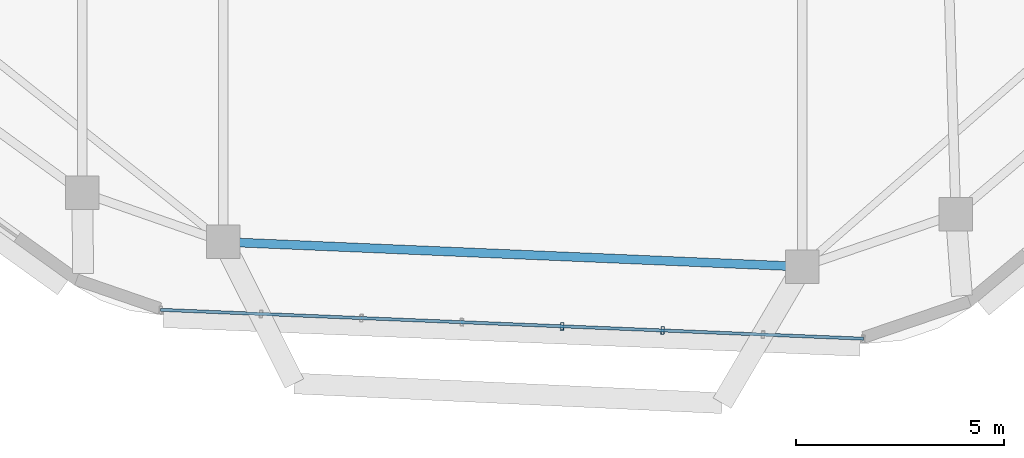
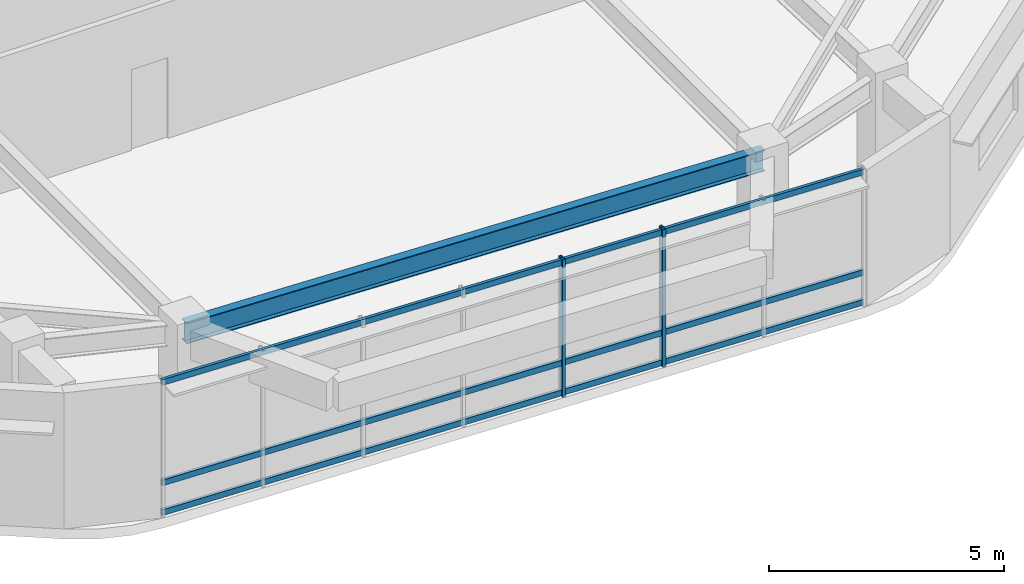
# One storey, part 3 of 13: 5 members, 1 beam, 1 element without a shape of its own.
"""IFC4 building model written with IfcOpenShell, lengths in metres."""

from ifc_helpers import new_model, si_unit, direction, frame, origin, origin_2d, place, context, subcontext, project, spatial, hollow_rectangle, i_section, extrude, material, material_profile, profile_set, type_object, element, aggregate, save


model = new_model("IFC4")

# Units and contexts
model_context = context("Model", 3, precision=1e-05, world=origin(), true_north=direction((0.0, 1.0)))
body_context = subcontext(model_context, "Body", "Model", "MODEL_VIEW")
ifc_project = project(units=[si_unit("LENGTHUNIT", "METRE"), si_unit("AREAUNIT", "SQUARE_METRE"), si_unit("VOLUMEUNIT", "CUBIC_METRE"), si_unit("PLANEANGLEUNIT", "RADIAN"), si_unit("MASSUNIT", "GRAM", prefix="KILO")], contexts=[model_context])

# Site, building, storey
site_placement = place(None, origin())
site = spatial("IfcSite", under=ifc_project, at=site_placement, CompositionType="ELEMENT")
building_placement = place(site_placement, origin())
building = spatial("IfcBuilding", under=site, at=building_placement, Name="Zulverin Broadcast Headquarters", CompositionType="ELEMENT")
storey_placement = place(building_placement, frame((0.0, 0.0, 278.199951171875)))
storey = spatial("IfcBuildingStorey", under=building, at=storey_placement, Name="L71", CompositionType="ELEMENT", Elevation=278.199951171875)

# Beam
ifc_material_1 = material(Name="Structural steel S355JR", Category="steel")
ifc_material_profile_1 = material_profile(ifc_material_1, i_section(OverallWidth=0.2119140625, OverallDepth=0.54443359375, WebThickness=0.0126953125, FlangeThickness=0.021240234375, at=origin_2d()), Name="Structural steel S355JR", Category="steel")
ifc_profile_set_1 = profile_set([ifc_material_profile_1], Name="Structural steel S355JR")
beam_type = type_object("IfcBeamType", Name="BM-UB-533", PredefinedType="SPANDREL", material=ifc_profile_set_1)
beam_placement = place(storey_placement, frame((30.93359375, 4.703125, 3.267822265625), z_axis=(0.999085051108, -0.042767518662, 0.0), x_axis=(0.042767518662, 0.999085051108, 0.0)))
element("IfcBeam", 1, at=beam_placement, inside=storey, type_object=beam_type, Name="L71 Perimeter Spandrel Beam SP-01", PredefinedType="SPANDREL", context=body_context, shape_type="SweptSolid", body=[
    extrude(i_section(OverallWidth=0.2119140625, OverallDepth=0.54443359375, WebThickness=0.0126953125, FlangeThickness=0.021240234375, at=origin_2d()), origin(), (0.0, 0.0, 1.0), 13.906005859375),
])

# Curtain wall, members
ifc_material_2 = material(Name="High-zone solar-control unitised curtain wall", Category="aluminium")
curtain_wall_type = type_object("IfcCurtainWallType", Name="CW-TWR-UPP", PredefinedType="USERDEFINED", material=ifc_material_2)
curtain_wall_placement = place(storey_placement, origin())
curtain_wall = element("IfcCurtainWall", 2, at=curtain_wall_placement, inside=storey, type_object=curtain_wall_type, Name="L71 Unitised Curtain Wall CW-L71-E1", ObjectType="UNITISED CURTAIN WALL", PredefinedType="USERDEFINED")
ifc_material_3 = material(Name="Anodized pale-metal aluminium alloy 6063-T6", Category="aluminium")
ifc_material_profile_2 = material_profile(ifc_material_3, hollow_rectangle(XDim=0.074951171875, YDim=0.179931640625, WallThickness=0.0048828125, at=origin_2d()), Name="Anodized pale-metal aluminium alloy 6063-T6", Category="aluminium")
ifc_profile_set_2 = profile_set([ifc_material_profile_2], Name="Anodized pale-metal aluminium alloy 6063-T6")
member_type_1 = type_object("IfcMemberType", Name="CW-MUL-180", PredefinedType="MULLION", material=ifc_profile_set_2)
member_1_placement = place(storey_placement, frame((39.06298828125, 2.67724609375, -0.030029296875), z_axis=(0.0, 0.0, 1.0), x_axis=(0.99915627139, -0.041070005388, 0.0)))
member_1 = element("IfcMember", 3, at=member_1_placement, type_object=member_type_1, Name="CW-L71-E1 Mullion 04", PredefinedType="MULLION", context=body_context, shape_type="SweptSolid", body=[
    extrude(hollow_rectangle(XDim=0.074951171875, YDim=0.179931640625, WallThickness=0.0048828125, at=origin_2d()), origin(), (0.0, 0.0, 1.0), 3.60009765625),
])
member_2_placement = place(storey_placement, frame((41.4716796875, 2.578125, -0.030029296875), z_axis=(0.0, 0.0, 1.0), x_axis=(0.99915627139, -0.041070005388, 0.0)))
member_2 = element("IfcMember", 4, at=member_2_placement, type_object=member_type_1, Name="CW-L71-E1 Mullion 05", PredefinedType="MULLION", context=body_context, shape_type="SweptSolid", body=[
    extrude(hollow_rectangle(XDim=0.074951171875, YDim=0.179931640625, WallThickness=0.0048828125, at=origin_2d()), origin(), (0.0, 0.0, 1.0), 3.60009765625),
])
ifc_material_profile_3 = material_profile(ifc_material_3, hollow_rectangle(XDim=0.074951171875, YDim=0.14990234375, WallThickness=0.0048828125, at=origin_2d()), Name="Anodized pale-metal aluminium alloy 6063-T6", Category="aluminium")
ifc_profile_set_3 = profile_set([ifc_material_profile_3], Name="Anodized pale-metal aluminium alloy 6063-T6")
member_type_2 = type_object("IfcMemberType", Name="CW-TRN-150", PredefinedType="USERDEFINED", material=ifc_profile_set_3)
member_3_placement = place(storey_placement, frame((29.427490234375, 3.0732421875, 0.074951171875), z_axis=(0.999156233565, -0.041070925594, 0.0), x_axis=(0.041070925594, 0.999156233565, 0.0)))
member_3 = element("IfcMember", 5, at=member_3_placement, type_object=member_type_2, Name="CW-L71-E1 Transom 0", ObjectType="TRANSOM", PredefinedType="USERDEFINED", context=body_context, shape_type="SweptSolid", body=[
    extrude(hollow_rectangle(XDim=0.074951171875, YDim=0.14990234375, WallThickness=0.0048828125, at=origin_2d()), origin(), (0.0, 0.0, 1.0), 16.8759765625),
])
member_4_placement = place(storey_placement, frame((29.427490234375, 3.0732421875, 0.849609375), z_axis=(0.999156233565, -0.041070925594, 0.0), x_axis=(0.041070925594, 0.999156233565, 0.0)))
member_4 = element("IfcMember", 6, at=member_4_placement, type_object=member_type_2, Name="CW-L71-E1 Transom 1", ObjectType="TRANSOM", PredefinedType="USERDEFINED", context=body_context, shape_type="SweptSolid", body=[
    extrude(hollow_rectangle(XDim=0.074951171875, YDim=0.14990234375, WallThickness=0.0048828125, at=origin_2d()), origin(), (0.0, 0.0, 1.0), 16.8759765625),
])
member_5_placement = place(storey_placement, frame((29.427490234375, 3.0732421875, 3.465087890625), z_axis=(0.999156233565, -0.041070925594, 0.0), x_axis=(0.041070925594, 0.999156233565, 0.0)))
member_5 = element("IfcMember", 7, at=member_5_placement, type_object=member_type_2, Name="CW-L71-E1 Transom 2", ObjectType="TRANSOM", PredefinedType="USERDEFINED", context=body_context, shape_type="SweptSolid", body=[
    extrude(hollow_rectangle(XDim=0.074951171875, YDim=0.14990234375, WallThickness=0.0048828125, at=origin_2d()), origin(), (0.0, 0.0, 1.0), 16.8759765625),
])
aggregate(curtain_wall, [member_1, member_2, member_3, member_4, member_5])

save(model, "model.ifc")
